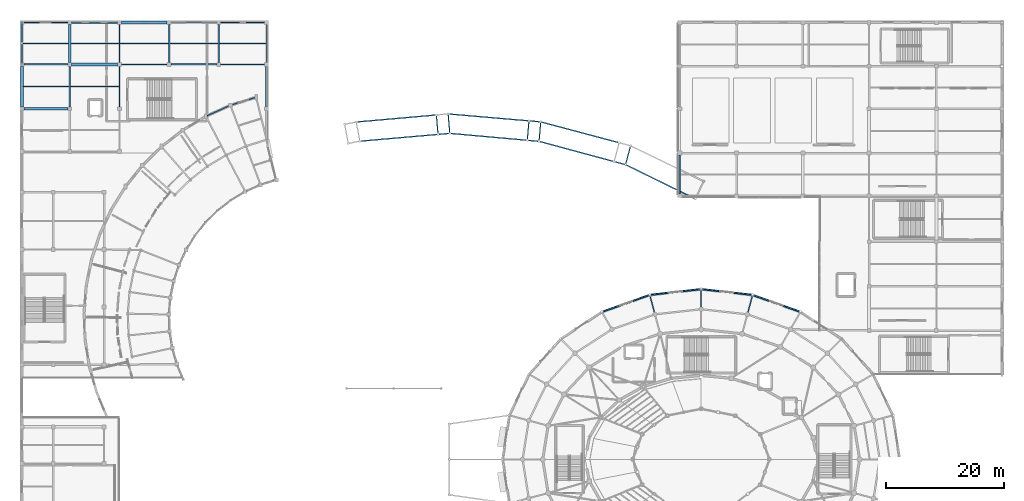
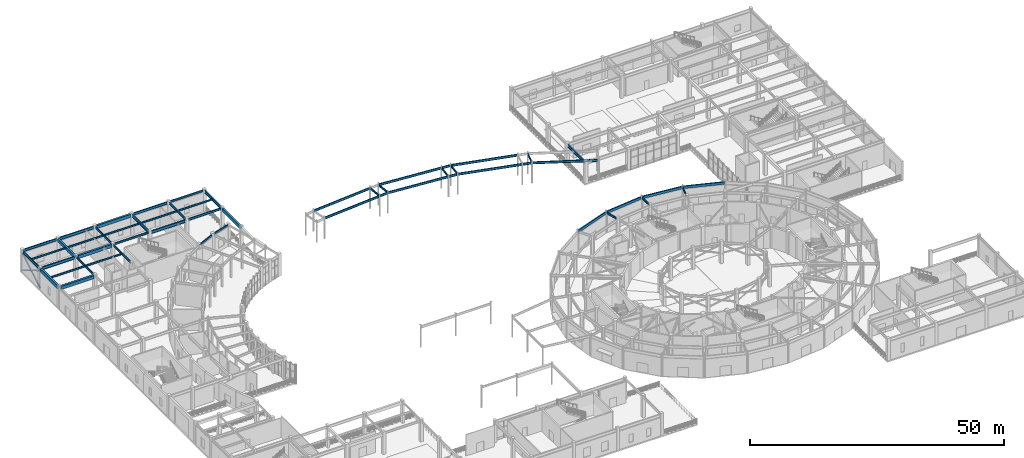
# One storey, part 31 of 93: 54 beams, 3 members.
"""IFC4 building model written with IfcOpenShell, lengths in metres."""

from ifc_helpers import new_model, si_unit, direction, frame, origin, origin_2d, place, context, subcontext, project, spatial, rectangle, hollow_rectangle, i_section, extrude, material, material_profile, profile_set, type_object, element, save


model = new_model("IFC4")

# Units and contexts
model_context = context("Model", 3, precision=1e-05, world=origin(), true_north=direction((0.0, 1.0)))
body_context = subcontext(model_context, "Body", "Model", "MODEL_VIEW")
ifc_project = project(units=[si_unit("LENGTHUNIT", "METRE"), si_unit("AREAUNIT", "SQUARE_METRE"), si_unit("VOLUMEUNIT", "CUBIC_METRE"), si_unit("PLANEANGLEUNIT", "RADIAN"), si_unit("MASSUNIT", "GRAM", prefix="KILO")], contexts=[model_context])

# Site, building, storey
site_placement = place(None, origin())
site = spatial("IfcSite", under=ifc_project, at=site_placement, CompositionType="ELEMENT")
building_placement = place(site_placement, origin())
building = spatial("IfcBuilding", under=site, at=building_placement, Name="Cinderbank Siding Concert Hall", CompositionType="ELEMENT")
storey_placement = place(building_placement, origin())
storey = spatial("IfcBuildingStorey", under=building, at=storey_placement, Name="L01", CompositionType="ELEMENT", Elevation=0.0)

# Beams
ifc_material_1 = material(Name="Reinforced concrete AS 3600 N50 (50 MPa)", Category="concrete")
ifc_material_profile_1 = material_profile(ifc_material_1, rectangle(XDim=0.449951171875, YDim=0.75, at=origin_2d()), Name="RC-BM-450x750", Category="LoadBearing")
ifc_profile_set_1 = profile_set([ifc_material_profile_1], Name="Reinforced concrete AS 3600 N50 (50 MPa)")
beam_type_1 = type_object("IfcBeamType", Name="BM-RC750 RC-BM-450x750", PredefinedType="BEAM", material=ifc_profile_set_1)
beam_1_placement = place(storey_placement, frame((7.4169921875, 103.300048828125, 4.76708984375), z_axis=(1.0, 0.0, 0.0), x_axis=(0.0, 1.0, 0.0)))
element("IfcBeam", 1, at=beam_1_placement, inside=storey, type_object=beam_type_1, Name="L01 Beam BM-RC750 #1357", PredefinedType="BEAM", context=body_context, shape_type="SweptSolid", body=[
    extrude(rectangle(XDim=0.449951171875, YDim=0.75, at=origin_2d()), origin(), (0.0, 0.0, 1.0), 7.466064453125),
])
beam_2_placement = place(storey_placement, frame((7.10009765625, 103.616943359375, 4.76708984375), z_axis=(0.0, 1.0, 0.0), x_axis=(-1.0, 0.0, 0.0)))
element("IfcBeam", 2, at=beam_2_placement, inside=storey, type_object=beam_type_1, Name="L01 Beam BM-RC750 #1358", PredefinedType="BEAM", context=body_context, shape_type="SweptSolid", body=[
    extrude(rectangle(XDim=0.449951171875, YDim=0.75, at=origin_2d()), origin(), (0.0, 0.0, 1.0), 6.865966796875),
])
beam_3_placement = place(storey_placement, frame((15.51708984375, 110.800048828125, 4.76708984375), z_axis=(1.0, 0.0, 0.0), x_axis=(0.0, 1.0, 0.0)))
element("IfcBeam", 3, at=beam_3_placement, inside=storey, type_object=beam_type_1, Name="L01 Beam BM-RC750 #1365", PredefinedType="BEAM", context=body_context, shape_type="SweptSolid", body=[
    extrude(rectangle(XDim=0.449951171875, YDim=0.75, at=origin_2d()), origin(), (0.0, 0.0, 1.0), 7.765869140625),
])
beam_4_placement = place(storey_placement, frame((15.199951171875, 111.116943359375, 4.76708984375), z_axis=(0.0, 1.0, 0.0), x_axis=(-1.0, 0.0, 0.0)))
element("IfcBeam", 4, at=beam_4_placement, inside=storey, type_object=beam_type_1, Name="L01 Beam BM-RC750 #1366", PredefinedType="BEAM", context=body_context, shape_type="SweptSolid", body=[
    extrude(rectangle(XDim=0.449951171875, YDim=0.75, at=origin_2d()), origin(), (0.0, 0.0, 1.0), 6.466064453125),
])
beam_5_placement = place(storey_placement, frame((23.9169921875, 117.89990234375, 4.76708984375), z_axis=(1.0, 0.0, 0.0), x_axis=(0.0, 1.0, 0.0)))
element("IfcBeam", 5, at=beam_5_placement, inside=storey, type_object=beam_type_1, Name="L01 Beam BM-RC750 #1372", PredefinedType="BEAM", context=body_context, shape_type="SweptSolid", body=[
    extrude(rectangle(XDim=0.449951171875, YDim=0.75, at=origin_2d()), origin(), (0.0, 0.0, 1.0), 7.76611328125),
])
beam_6_placement = place(storey_placement, frame((48.5, 103.616943359375, 4.76708984375), z_axis=(0.0, 1.0, 0.0), x_axis=(-1.0, 0.0, 0.0)))
element("IfcBeam", 6, at=beam_6_placement, inside=storey, type_object=beam_type_1, Name="L01 Beam BM-RC750 #1379", PredefinedType="BEAM", context=body_context, shape_type="SweptSolid", body=[
    extrude(rectangle(XDim=0.449951171875, YDim=0.75, at=origin_2d()), origin(), (0.0, 0.0, 1.0), 6.865966796875),
])
ifc_material_2 = material(Name="Structural steel AS/NZS 3679.1 Grade 350 (340 MPa)", Category="steel")
ifc_material_profile_2 = material_profile(ifc_material_2, i_section(OverallWidth=0.18994140625, OverallDepth=0.45751953125, WebThickness=0.009033203125, FlangeThickness=0.014404296875, at=origin_2d()), Name="460UB74.6", Category="LoadBearing")
ifc_profile_set_2 = profile_set([ifc_material_profile_2], Name="Structural steel AS/NZS 3679.1 Grade 350 (340 MPa)")
beam_type_2 = type_object("IfcBeamType", Name="BM-UB460 460UB74.6", PredefinedType="BEAM", material=ifc_profile_set_2)
beam_7_placement = place(storey_placement, frame((77.21435546875, 102.107666015625, 4.871337890625), z_axis=(0.087319812676, -0.996180330219, 0.0), x_axis=(0.996180330219, 0.087319812676, 0.0)))
element("IfcBeam", 7, at=beam_7_placement, inside=storey, type_object=beam_type_2, Name="L01 Beam BM-UB460 #68", PredefinedType="BEAM", context=body_context, shape_type="SweptSolid", body=[
    extrude(i_section(OverallWidth=0.18994140625, OverallDepth=0.45751953125, WebThickness=0.009033203125, FlangeThickness=0.014404296875, at=origin_2d()), origin(), (0.0, 0.0, 1.0), 2.99169921875),
])
beam_8_placement = place(storey_placement, frame((79.20751953125, 102.28271484375, 4.871337890625), z_axis=(0.0868866097, -0.99621820755, 0.0), x_axis=(0.99621820755, 0.0868866097, 0.0)))
element("IfcBeam", 8, at=beam_8_placement, inside=storey, type_object=beam_type_2, Name="L01 Beam BM-UB460 #71", PredefinedType="BEAM", context=body_context, shape_type="SweptSolid", body=[
    extrude(i_section(OverallWidth=0.18994140625, OverallDepth=0.45751953125, WebThickness=0.009033203125, FlangeThickness=0.014404296875, at=origin_2d()), origin(), (0.0, 0.0, 1.0), 2.992431640625),
])
beam_9_placement = place(storey_placement, frame((92.856689453125, 101.110595703125, 4.871337890625), z_axis=(-0.086995858577, -0.996208673216, 0.0), x_axis=(0.996208673216, -0.086995858577, 0.0)))
element("IfcBeam", 9, at=beam_9_placement, inside=storey, type_object=beam_type_2, Name="L01 Beam BM-UB460 #74", PredefinedType="BEAM", context=body_context, shape_type="SweptSolid", body=[
    extrude(i_section(OverallWidth=0.18994140625, OverallDepth=0.45751953125, WebThickness=0.009033203125, FlangeThickness=0.014404296875, at=origin_2d()), origin(), (0.0, 0.0, 1.0), 2.991455078125),
])
for number, where, z_axis, x_axis, name in (
    (10, (94.849609375, 100.9365234375, 4.871337890625), (-0.087291427009, -0.996182817946, 0.0), (0.996182817946, -0.087291427009, 0.0), "L01 Beam BM-UB460 #77"),
    (11, (110.020263671875, 96.895263671875, 4.871337890625), (-0.258779582665, -0.965936399353, 0.0), (0.965936399353, -0.258779582665, 0.0), "L01 Beam BM-UB460 #83"),
):
    element("IfcBeam", number, at=place(storey_placement, frame(where, z_axis=z_axis, x_axis=x_axis)), inside=storey, type_object=beam_type_2, Name=name, PredefinedType="BEAM", context=body_context, shape_type="SweptSolid", body=[
        extrude(i_section(OverallWidth=0.18994140625, OverallDepth=0.45751953125, WebThickness=0.009033203125, FlangeThickness=0.014404296875, at=origin_2d()), origin(), (0.0, 0.0, 1.0), 2.99267578125),
    ])
beam_10_placement = place(storey_placement, frame((15.199951171875, 103.616943359375, 4.913330078125), z_axis=(0.0, 1.0, 0.0), x_axis=(-1.0, 0.0, 0.0)))
element("IfcBeam", 12, at=beam_10_placement, inside=storey, type_object=beam_type_2, Name="L01 Beam BM-UB460 #1364", PredefinedType="BEAM", context=body_context, shape_type="SweptSolid", body=[
    extrude(i_section(OverallWidth=0.18994140625, OverallDepth=0.45751953125, WebThickness=0.009033203125, FlangeThickness=0.014404296875, at=origin_2d()), origin(), (0.0, 0.0, 1.0), 6.865966796875),
])
beam_11_placement = place(storey_placement, frame((23.9169921875, 110.800048828125, 4.913330078125), z_axis=(1.0, 0.0, 0.0), x_axis=(0.0, 1.0, 0.0)))
element("IfcBeam", 13, at=beam_11_placement, inside=storey, type_object=beam_type_2, Name="L01 Beam BM-UB460 #1370", PredefinedType="BEAM", context=body_context, shape_type="SweptSolid", body=[
    extrude(i_section(OverallWidth=0.18994140625, OverallDepth=0.45751953125, WebThickness=0.009033203125, FlangeThickness=0.014404296875, at=origin_2d()), origin(), (0.0, 0.0, 1.0), 7.76611328125),
])
beam_12_placement = place(storey_placement, frame((23.60009765625, 111.116943359375, 4.913330078125), z_axis=(0.0, 1.0, 0.0), x_axis=(-1.0, 0.0, 0.0)))
element("IfcBeam", 14, at=beam_12_placement, inside=storey, type_object=beam_type_2, Name="L01 Beam BM-UB460 #1371", PredefinedType="BEAM", context=body_context, shape_type="SweptSolid", body=[
    extrude(i_section(OverallWidth=0.18994140625, OverallDepth=0.45751953125, WebThickness=0.009033203125, FlangeThickness=0.014404296875, at=origin_2d()), origin(), (0.0, 0.0, 1.0), 6.466064453125),
])
beam_13_placement = place(storey_placement, frame((40.717041015625, 117.89990234375, 4.913330078125), z_axis=(1.0, 0.0, 0.0), x_axis=(0.0, 1.0, 0.0)))
element("IfcBeam", 15, at=beam_13_placement, inside=storey, type_object=beam_type_2, Name="L01 Beam BM-UB460 #1378", PredefinedType="BEAM", context=body_context, shape_type="SweptSolid", body=[
    extrude(i_section(OverallWidth=0.18994140625, OverallDepth=0.45751953125, WebThickness=0.009033203125, FlangeThickness=0.014404296875, at=origin_2d()), origin(), (0.0, 0.0, 1.0), 7.466064453125),
])
ifc_material_profile_3 = material_profile(ifc_material_2, i_section(OverallWidth=0.19091796875, OverallDepth=0.46044921875, WebThickness=0.010009765625, FlangeThickness=0.01611328125, at=origin_2d()), Name="460UB82.1", Category="LoadBearing")
ifc_profile_set_3 = profile_set([ifc_material_profile_3], Name="Structural steel AS/NZS 3679.1 Grade 350 (340 MPa)")
beam_type_3 = type_object("IfcBeamType", Name="BM-UB460H 460UB82.1", PredefinedType="BEAM", material=ifc_profile_set_3)
beam_14_placement = place(storey_placement, frame((129.911376953125, 68.888916015625, 4.871826171875), z_axis=(0.258776220076, 0.965937300203, 0.0), x_axis=(-0.965937300203, 0.258776220076, 0.0)))
element("IfcBeam", 16, at=beam_14_placement, inside=storey, type_object=beam_type_3, Name="L01 Beam BM-UB460H #421", PredefinedType="BEAM", context=body_context, shape_type="SweptSolid", body=[
    extrude(i_section(OverallWidth=0.19091796875, OverallDepth=0.46044921875, WebThickness=0.010009765625, FlangeThickness=0.01611328125, at=origin_2d()), origin(), (0.0, 0.0, 1.0), 2.837890625),
])
beam_15_placement = place(storey_placement, frame((122.0, 69.76708984375, 4.871826171875), z_axis=(0.0, 1.0, 0.0), x_axis=(-1.0, 0.0, 0.0)))
element("IfcBeam", 17, at=beam_15_placement, inside=storey, type_object=beam_type_3, Name="L01 Beam BM-UB460H #422", PredefinedType="BEAM", context=body_context, shape_type="SweptSolid", body=[
    extrude(i_section(OverallWidth=0.19091796875, OverallDepth=0.46044921875, WebThickness=0.010009765625, FlangeThickness=0.01611328125, at=origin_2d()), origin(), (0.0, 0.0, 1.0), 2.837646484375),
])
beam_16_placement = place(storey_placement, frame((114.088623046875, 68.888916015625, 4.871826171875), z_axis=(-0.258776220076, 0.965937300203, 0.0), x_axis=(-0.965937300203, -0.258776220076, 0.0)))
element("IfcBeam", 18, at=beam_16_placement, inside=storey, type_object=beam_type_3, Name="L01 Beam BM-UB460H #423", PredefinedType="BEAM", context=body_context, shape_type="SweptSolid", body=[
    extrude(i_section(OverallWidth=0.19091796875, OverallDepth=0.46044921875, WebThickness=0.010009765625, FlangeThickness=0.01611328125, at=origin_2d()), origin(), (0.0, 0.0, 1.0), 2.837890625),
])
ifc_material_profile_4 = material_profile(ifc_material_2, i_section(OverallWidth=0.208984375, OverallDepth=0.5283203125, WebThickness=0.009521484375, FlangeThickness=0.01318359375, at=origin_2d()), Name="530UB82.0", Category="LoadBearing")
ifc_profile_set_4 = profile_set([ifc_material_profile_4], Name="Structural steel AS/NZS 3679.1 Grade 350 (340 MPa)")
beam_type_4 = type_object("IfcBeamType", Name="BM-UB530 530UB82.0", PredefinedType="BEAM", material=ifc_profile_set_4)
beam_17_placement = place(storey_placement, frame((63.79541015625, 101.07958984375, 4.8359375), z_axis=(0.996138682073, 0.087793656252, 0.0), x_axis=(-0.087793656252, 0.996138682073, 0.0)))
element("IfcBeam", 19, at=beam_17_placement, inside=storey, type_object=beam_type_4, Name="L01 Beam BM-UB530 #66", PredefinedType="BEAM", context=body_context, shape_type="SweptSolid", body=[
    extrude(i_section(OverallWidth=0.208984375, OverallDepth=0.5283203125, WebThickness=0.009521484375, FlangeThickness=0.01318359375, at=origin_2d()), origin(), (0.0, 0.0, 1.0), 13.303466796875),
])
beam_18_placement = place(storey_placement, frame((64.42431640625, 97.83935546875, 4.8359375), z_axis=(0.99624984248, 0.086523126151, 0.0), x_axis=(-0.086523126151, 0.99624984248, 0.0)))
element("IfcBeam", 20, at=beam_18_placement, inside=storey, type_object=beam_type_4, Name="L01 Beam BM-UB530 #67", PredefinedType="BEAM", context=body_context, shape_type="SweptSolid", body=[
    extrude(i_section(OverallWidth=0.208984375, OverallDepth=0.5283203125, WebThickness=0.009521484375, FlangeThickness=0.01318359375, at=origin_2d()), origin(), (0.0, 0.0, 1.0), 12.9599609375),
])
beam_19_placement = place(storey_placement, frame((77.642333984375, 98.9873046875, 4.8359375), z_axis=(0.996206395204, 0.08702194065, 0.0), x_axis=(-0.08702194065, 0.996206395204, 0.0)))
element("IfcBeam", 21, at=beam_19_placement, inside=storey, type_object=beam_type_4, Name="L01 Beam BM-UB530 #70", PredefinedType="BEAM", context=body_context, shape_type="SweptSolid", body=[
    extrude(i_section(OverallWidth=0.208984375, OverallDepth=0.5283203125, WebThickness=0.009521484375, FlangeThickness=0.01318359375, at=origin_2d()), origin(), (0.0, 0.0, 1.0), 1.691650390625),
])
beam_20_placement = place(storey_placement, frame((79.347412109375, 102.4228515625, 4.8359375), z_axis=(0.996347754802, -0.085388239834, 0.0), x_axis=(0.085388239834, 0.996347754802, 0.0)))
element("IfcBeam", 22, at=beam_20_placement, inside=storey, type_object=beam_type_4, Name="L01 Beam BM-UB530 #72", PredefinedType="BEAM", context=body_context, shape_type="SweptSolid", body=[
    extrude(i_section(OverallWidth=0.208984375, OverallDepth=0.5283203125, WebThickness=0.009521484375, FlangeThickness=0.01318359375, at=origin_2d()), origin(), (0.0, 0.0, 1.0), 13.418212890625),
])
beam_21_placement = place(storey_placement, frame((79.63427734375, 99.13427734375, 4.8359375), z_axis=(0.996030066143, -0.089017455253, 0.0), x_axis=(0.089017455253, 0.996030066143, 0.0)))
element("IfcBeam", 23, at=beam_21_placement, inside=storey, type_object=beam_type_4, Name="L01 Beam BM-UB530 #73", PredefinedType="BEAM", context=body_context, shape_type="SweptSolid", body=[
    extrude(i_section(OverallWidth=0.208984375, OverallDepth=0.5283203125, WebThickness=0.009521484375, FlangeThickness=0.01318359375, at=origin_2d()), origin(), (0.0, 0.0, 1.0), 12.846435546875),
])
beam_22_placement = place(storey_placement, frame((93.0234375, 101.25048828125, 4.8359375), z_axis=(0.9962232494, -0.086828781836, 0.0), x_axis=(0.086828781836, 0.9962232494, 0.0)))
element("IfcBeam", 24, at=beam_22_placement, inside=storey, type_object=beam_type_4, Name="L01 Beam BM-UB530 #75", PredefinedType="BEAM", context=body_context, shape_type="SweptSolid", body=[
    extrude(i_section(OverallWidth=0.208984375, OverallDepth=0.5283203125, WebThickness=0.009521484375, FlangeThickness=0.01318359375, at=origin_2d()), origin(), (0.0, 0.0, 1.0), 1.692626953125),
])
beam_23_placement = place(storey_placement, frame((92.736328125, 97.96337890625, 4.8359375), z_axis=(0.996168771185, -0.087451582694, 0.0), x_axis=(0.087451582694, 0.996168771185, 0.0)))
element("IfcBeam", 25, at=beam_23_placement, inside=storey, type_object=beam_type_4, Name="L01 Beam BM-UB530 #76", PredefinedType="BEAM", context=body_context, shape_type="SweptSolid", body=[
    extrude(i_section(OverallWidth=0.208984375, OverallDepth=0.5283203125, WebThickness=0.009521484375, FlangeThickness=0.01318359375, at=origin_2d()), origin(), (0.0, 0.0, 1.0), 1.69189453125),
])
beam_24_placement = place(storey_placement, frame((95.01171875, 101.05029296875, 4.8359375), z_axis=(0.966388776608, -0.257085068502, 0.0), x_axis=(0.257085068502, 0.966388776608, 0.0)))
element("IfcBeam", 26, at=beam_24_placement, inside=storey, type_object=beam_type_4, Name="L01 Beam BM-UB530 #78", PredefinedType="BEAM", context=body_context, shape_type="SweptSolid", body=[
    extrude(i_section(OverallWidth=0.208984375, OverallDepth=0.5283203125, WebThickness=0.009521484375, FlangeThickness=0.01318359375, at=origin_2d()), origin(), (0.0, 0.0, 1.0), 13.41845703125),
])
beam_25_placement = place(storey_placement, frame((94.7236328125, 97.761962890625, 4.8359375), z_axis=(0.9654408473, -0.260622275267, 0.0), x_axis=(0.260622275267, 0.9654408473, 0.0)))
element("IfcBeam", 27, at=beam_25_placement, inside=storey, type_object=beam_type_4, Name="L01 Beam BM-UB530 #79", PredefinedType="BEAM", context=body_context, shape_type="SweptSolid", body=[
    extrude(i_section(OverallWidth=0.208984375, OverallDepth=0.5283203125, WebThickness=0.009521484375, FlangeThickness=0.01318359375, at=origin_2d()), origin(), (0.0, 0.0, 1.0), 12.845703125),
])
beam_26_placement = place(storey_placement, frame((107.422607421875, 94.333984375, 4.8359375), z_axis=(0.965932598469, -0.258793769661, 0.0), x_axis=(0.258793769661, 0.965932598469, 0.0)))
element("IfcBeam", 28, at=beam_26_placement, inside=storey, type_object=beam_type_4, Name="L01 Beam BM-UB530 #82", PredefinedType="BEAM", context=body_context, shape_type="SweptSolid", body=[
    extrude(i_section(OverallWidth=0.208984375, OverallDepth=0.5283203125, WebThickness=0.009521484375, FlangeThickness=0.01318359375, at=origin_2d()), origin(), (0.0, 0.0, 1.0), 1.6923828125),
])
beam_27_placement = place(storey_placement, frame((109.34423828125, 93.7880859375, 4.8359375), z_axis=(0.897773350895, -0.440457728305, 0.0), x_axis=(0.440457728305, 0.897773350895, 0.0)))
element("IfcBeam", 29, at=beam_27_placement, inside=storey, type_object=beam_type_4, Name="L01 Beam BM-UB530 #85", PredefinedType="BEAM", context=body_context, shape_type="SweptSolid", body=[
    extrude(i_section(OverallWidth=0.208984375, OverallDepth=0.5283203125, WebThickness=0.009521484375, FlangeThickness=0.01318359375, at=origin_2d()), origin(), (0.0, 0.0, 1.0), 12.81689453125),
])
beam_28_placement = place(storey_placement, frame((23.60009765625, 103.616943359375, 4.8779296875), z_axis=(0.0, 1.0, 0.0), x_axis=(-1.0, 0.0, 0.0)))
element("IfcBeam", 30, at=beam_28_placement, inside=storey, type_object=beam_type_4, Name="L01 Beam BM-UB530 #1369", PredefinedType="BEAM", context=body_context, shape_type="SweptSolid", body=[
    extrude(i_section(OverallWidth=0.208984375, OverallDepth=0.5283203125, WebThickness=0.009521484375, FlangeThickness=0.01318359375, at=origin_2d()), origin(), (0.0, 0.0, 1.0), 6.865966796875),
])
beam_29_placement = place(storey_placement, frame((40.717041015625, 110.800048828125, 4.8779296875), z_axis=(1.0, 0.0, 0.0), x_axis=(0.0, 1.0, 0.0)))
element("IfcBeam", 31, at=beam_29_placement, inside=storey, type_object=beam_type_4, Name="L01 Beam BM-UB530 #1376", PredefinedType="BEAM", context=body_context, shape_type="SweptSolid", body=[
    extrude(i_section(OverallWidth=0.208984375, OverallDepth=0.5283203125, WebThickness=0.009521484375, FlangeThickness=0.01318359375, at=origin_2d()), origin(), (0.0, 0.0, 1.0), 7.466064453125),
])
beam_30_placement = place(storey_placement, frame((40.39990234375, 111.116943359375, 4.8779296875), z_axis=(0.0, 1.0, 0.0), x_axis=(-1.0, 0.0, 0.0)))
element("IfcBeam", 32, at=beam_30_placement, inside=storey, type_object=beam_type_4, Name="L01 Beam BM-UB530 #1377", PredefinedType="BEAM", context=body_context, shape_type="SweptSolid", body=[
    extrude(i_section(OverallWidth=0.208984375, OverallDepth=0.5283203125, WebThickness=0.009521484375, FlangeThickness=0.01318359375, at=origin_2d()), origin(), (0.0, 0.0, 1.0), 6.466064453125),
])
ifc_material_profile_5 = material_profile(ifc_material_2, i_section(OverallWidth=0.22802734375, OverallDepth=0.602294921875, WebThickness=0.010498046875, FlangeThickness=0.014892578125, at=origin_2d()), Name="610UB101", Category="LoadBearing")
ifc_profile_set_5 = profile_set([ifc_material_profile_5], Name="Structural steel AS/NZS 3679.1 Grade 350 (340 MPa)")
beam_type_5 = type_object("IfcBeamType", Name="BM-UB610 610UB101", PredefinedType="BEAM", material=ifc_profile_set_5)
beam_31_placement = place(storey_placement, frame((7.4169921875, 117.89990234375, 4.8408203125), z_axis=(1.0, 0.0, 0.0), x_axis=(0.0, 1.0, 0.0)))
element("IfcBeam", 33, at=beam_31_placement, inside=storey, type_object=beam_type_5, Name="L01 Beam BM-UB610 #1361", PredefinedType="BEAM", context=body_context, shape_type="SweptSolid", body=[
    extrude(i_section(OverallWidth=0.22802734375, OverallDepth=0.602294921875, WebThickness=0.010498046875, FlangeThickness=0.014892578125, at=origin_2d()), origin(), (0.0, 0.0, 1.0), 7.466064453125),
])
beam_32_placement = place(storey_placement, frame((32.31689453125, 117.89990234375, 4.8408203125), z_axis=(1.0, 0.0, 0.0), x_axis=(0.0, 1.0, 0.0)))
element("IfcBeam", 34, at=beam_32_placement, inside=storey, type_object=beam_type_5, Name="L01 Beam BM-UB610 #1375", PredefinedType="BEAM", context=body_context, shape_type="SweptSolid", body=[
    extrude(i_section(OverallWidth=0.22802734375, OverallDepth=0.602294921875, WebThickness=0.010498046875, FlangeThickness=0.014892578125, at=origin_2d()), origin(), (0.0, 0.0, 1.0), 7.76611328125),
])
ifc_material_3 = material(Name="Structural steel welded plate section AS/NZS 3679.2 / AS/NZS 3678 Grade 350 (340 MPa)", Category="steel")
ifc_material_profile_6 = material_profile(ifc_material_3, i_section(OverallWidth=0.25, OverallDepth=0.699951171875, WebThickness=0.010009765625, FlangeThickness=0.01611328125, at=origin_2d()), Name="700WB130", Category="LoadBearing")
ifc_profile_set_6 = profile_set([ifc_material_profile_6], Name="Structural steel welded plate section AS/NZS 3679.2 / AS/NZS 3678 Grade 350 (340 MPa)")
beam_type_6 = type_object("IfcBeamType", Name="BM-WB700 700WB130", PredefinedType="BEAM", material=ifc_profile_set_6)
beam_33_placement = place(storey_placement, frame((118.39990234375, 88.9169921875, 4.77197265625), z_axis=(0.0, 1.0, 0.0), x_axis=(-1.0, 0.0, 0.0)))
element("IfcBeam", 35, at=beam_33_placement, inside=storey, type_object=beam_type_6, Name="L01 Beam BM-WB700 #1315", PredefinedType="BEAM", context=body_context, shape_type="SweptSolid", body=[
    extrude(i_section(OverallWidth=0.25, OverallDepth=0.699951171875, WebThickness=0.010009765625, FlangeThickness=0.01611328125, at=origin_2d()), origin(), (0.0, 0.0, 1.0), 6.56591796875),
])
beam_34_placement = place(storey_placement, frame((7.4169921875, 110.800048828125, 4.7919921875), z_axis=(1.0, 0.0, 0.0), x_axis=(0.0, 1.0, 0.0)))
element("IfcBeam", 36, at=beam_34_placement, inside=storey, type_object=beam_type_6, Name="L01 Beam BM-WB700 #1359", PredefinedType="BEAM", context=body_context, shape_type="SweptSolid", body=[
    extrude(i_section(OverallWidth=0.25, OverallDepth=0.699951171875, WebThickness=0.010009765625, FlangeThickness=0.01611328125, at=origin_2d()), origin(), (0.0, 0.0, 1.0), 7.466064453125),
])
beam_35_placement = place(storey_placement, frame((7.10009765625, 111.116943359375, 4.7919921875), z_axis=(0.0, 1.0, 0.0), x_axis=(-1.0, 0.0, 0.0)))
element("IfcBeam", 37, at=beam_35_placement, inside=storey, type_object=beam_type_6, Name="L01 Beam BM-WB700 #1360", PredefinedType="BEAM", context=body_context, shape_type="SweptSolid", body=[
    extrude(i_section(OverallWidth=0.25, OverallDepth=0.699951171875, WebThickness=0.010009765625, FlangeThickness=0.01611328125, at=origin_2d()), origin(), (0.0, 0.0, 1.0), 6.466064453125),
])
beam_36_placement = place(storey_placement, frame((15.51708984375, 117.89990234375, 4.7919921875), z_axis=(1.0, 0.0, 0.0), x_axis=(0.0, 1.0, 0.0)))
element("IfcBeam", 38, at=beam_36_placement, inside=storey, type_object=beam_type_6, Name="L01 Beam BM-WB700 #1367", PredefinedType="BEAM", context=body_context, shape_type="SweptSolid", body=[
    extrude(i_section(OverallWidth=0.25, OverallDepth=0.699951171875, WebThickness=0.010009765625, FlangeThickness=0.01611328125, at=origin_2d()), origin(), (0.0, 0.0, 1.0), 7.765869140625),
])
beam_37_placement = place(storey_placement, frame((32.31689453125, 110.800048828125, 4.7919921875), z_axis=(1.0, 0.0, 0.0), x_axis=(0.0, 1.0, 0.0)))
element("IfcBeam", 39, at=beam_37_placement, inside=storey, type_object=beam_type_6, Name="L01 Beam BM-WB700 #1373", PredefinedType="BEAM", context=body_context, shape_type="SweptSolid", body=[
    extrude(i_section(OverallWidth=0.25, OverallDepth=0.699951171875, WebThickness=0.010009765625, FlangeThickness=0.01611328125, at=origin_2d()), origin(), (0.0, 0.0, 1.0), 7.76611328125),
])
for number, where, z_axis, x_axis, name in (
    (40, (32.0, 111.116943359375, 4.7919921875), (0.0, 1.0, 0.0), (-1.0, 0.0, 0.0), "L01 Beam BM-WB700 #1374"),
    (41, (48.5, 111.116943359375, 4.7919921875), (0.0, 1.0, 0.0), (-1.0, 0.0, 0.0), "L01 Beam BM-WB700 #1380"),
):
    element("IfcBeam", number, at=place(storey_placement, frame(where, z_axis=z_axis, x_axis=x_axis)), inside=storey, type_object=beam_type_6, Name=name, PredefinedType="BEAM", context=body_context, shape_type="SweptSolid", body=[
        extrude(i_section(OverallWidth=0.25, OverallDepth=0.699951171875, WebThickness=0.010009765625, FlangeThickness=0.01611328125, at=origin_2d()), origin(), (0.0, 0.0, 1.0), 6.466064453125),
    ])

# Members
ifc_material_4 = material(Name="Structural steel hollow section AS/NZS 1163 Grade C350L0 (350 MPa)", Category="steel")
ifc_material_profile_7 = material_profile(ifc_material_4, hollow_rectangle(XDim=0.25, YDim=0.25, WallThickness=0.010009765625, at=origin_2d()), Name="250x250x10.0SHS", Category="LoadBearing")
ifc_profile_set_7 = profile_set([ifc_material_profile_7], Name="Structural steel hollow section AS/NZS 1163 Grade C350L0 (350 MPa)")
member_type = type_object("IfcMemberType", Name="BR-SHS250 250x250x10.0SHS Roof Truss", PredefinedType="BRACE", material=ifc_profile_set_7)
member_placement = place(storey_placement, frame((7.10009765625, 110.800048828125, 0.199951171875), z_axis=(0.0, 0.860683089359, 0.509141060701), x_axis=(-1.0, 0.0, 0.0)))
element("IfcMember", 42, at=member_placement, inside=storey, type_object=member_type, Name="L01 Diagonal Brace BR-SHS250 #LBR-BR-SHS250-L01-2530", PredefinedType="BRACE", context=body_context, shape_type="SweptSolid", body=[
    extrude(hollow_rectangle(XDim=0.25, YDim=0.25, WallThickness=0.010009765625, at=origin_2d()), origin(), (0.0, 0.0, 1.0), 8.2490234375),
])
for number, where, z_axis, x_axis, name in (
    (43, (7.10009765625, 117.89990234375, 0.199951171875), (0.0, -0.860668599092, 0.509165555136), (1.0, 0.0, 0.0), "L01 Diagonal Brace BR-SHS250 #LBR-BR-SHS250-L01-2531"),
    (44, (7.10009765625, 114.337158203125, 2.3076171875), (0.0, -0.860694631651, 0.509121548402), (1.0, 0.0, 0.0), "L01 Diagonal Brace BR-SHS250 #LBR-BR-SHS250-L01-2531-S233"),
):
    element("IfcMember", number, at=place(storey_placement, frame(where, z_axis=z_axis, x_axis=x_axis)), inside=storey, type_object=member_type, Name=name, PredefinedType="BRACE", context=body_context, shape_type="SweptSolid", body=[
        extrude(hollow_rectangle(XDim=0.25, YDim=0.25, WallThickness=0.010009765625, at=origin_2d()), origin(), (0.0, 0.0, 1.0), 4.109619140625),
    ])

# Beams
ifc_material_profile_8 = material_profile(ifc_material_2, i_section(OverallWidth=0.177978515625, OverallDepth=0.402587890625, WebThickness=0.007568359375, FlangeThickness=0.010986328125, at=origin_2d()), Name="410UB53.7", Category="LoadBearing")
ifc_profile_set_8 = profile_set([ifc_material_profile_8], Name="Structural steel AS/NZS 3679.1 Grade 350 (340 MPa)")
beam_type_7 = type_object("IfcBeamType", Name="JS-UB410 410UB53.7", PredefinedType="JOIST", material=ifc_profile_set_8)
beam_38_placement = place(storey_placement, frame((7.31689453125, 107.050048828125, 4.940673828125), z_axis=(1.0, 0.0, 0.0), x_axis=(0.0, 1.0, 0.0)))
element("IfcBeam", 45, at=beam_38_placement, inside=storey, type_object=beam_type_7, Name="L01 Beam JS-UB410 #1467", PredefinedType="JOIST", context=body_context, shape_type="SweptSolid", body=[
    extrude(i_section(OverallWidth=0.177978515625, OverallDepth=0.402587890625, WebThickness=0.007568359375, FlangeThickness=0.010986328125, at=origin_2d()), origin(), (0.0, 0.0, 1.0), 7.796142578125),
])
beam_39_placement = place(storey_placement, frame((7.217041015625, 114.35009765625, 4.940673828125), z_axis=(1.0, 0.0, 0.0), x_axis=(0.0, 1.0, 0.0)))
element("IfcBeam", 46, at=beam_39_placement, inside=storey, type_object=beam_type_7, Name="L01 Beam JS-UB410 #1468", PredefinedType="JOIST", context=body_context, shape_type="SweptSolid", body=[
    extrude(i_section(OverallWidth=0.177978515625, OverallDepth=0.402587890625, WebThickness=0.007568359375, FlangeThickness=0.010986328125, at=origin_2d()), origin(), (0.0, 0.0, 1.0), 7.765869140625),
])
beam_40_placement = place(storey_placement, frame((15.287109375, 107.050048828125, 4.940673828125), z_axis=(1.0, 0.0, 0.0), x_axis=(0.0, 1.0, 0.0)))
element("IfcBeam", 47, at=beam_40_placement, inside=storey, type_object=beam_type_7, Name="L01 Beam JS-UB410 #1470", PredefinedType="JOIST", context=body_context, shape_type="SweptSolid", body=[
    extrude(i_section(OverallWidth=0.177978515625, OverallDepth=0.402587890625, WebThickness=0.007568359375, FlangeThickness=0.010986328125, at=origin_2d()), origin(), (0.0, 0.0, 1.0), 8.21630859375),
])
beam_41_placement = place(storey_placement, frame((15.4169921875, 114.35009765625, 4.940673828125), z_axis=(1.0, 0.0, 0.0), x_axis=(0.0, 1.0, 0.0)))
element("IfcBeam", 48, at=beam_41_placement, inside=storey, type_object=beam_type_7, Name="L01 Beam JS-UB410 #1471", PredefinedType="JOIST", context=body_context, shape_type="SweptSolid", body=[
    extrude(i_section(OverallWidth=0.177978515625, OverallDepth=0.402587890625, WebThickness=0.007568359375, FlangeThickness=0.010986328125, at=origin_2d()), origin(), (0.0, 0.0, 1.0), 8.095947265625),
])
beam_42_placement = place(storey_placement, frame((23.68701171875, 114.35009765625, 4.940673828125), z_axis=(1.0, 0.0, 0.0), x_axis=(0.0, 1.0, 0.0)))
element("IfcBeam", 49, at=beam_42_placement, inside=storey, type_object=beam_type_7, Name="L01 Beam JS-UB410 #1472", PredefinedType="JOIST", context=body_context, shape_type="SweptSolid", body=[
    extrude(i_section(OverallWidth=0.177978515625, OverallDepth=0.402587890625, WebThickness=0.007568359375, FlangeThickness=0.010986328125, at=origin_2d()), origin(), (0.0, 0.0, 1.0), 8.196044921875),
])
beam_43_placement = place(storey_placement, frame((32.116943359375, 114.35009765625, 4.940673828125), z_axis=(1.0, 0.0, 0.0), x_axis=(0.0, 1.0, 0.0)))
element("IfcBeam", 50, at=beam_43_placement, inside=storey, type_object=beam_type_7, Name="L01 Beam JS-UB410 #1473", PredefinedType="JOIST", context=body_context, shape_type="SweptSolid", body=[
    extrude(i_section(OverallWidth=0.177978515625, OverallDepth=0.402587890625, WebThickness=0.007568359375, FlangeThickness=0.010986328125, at=origin_2d()), origin(), (0.0, 0.0, 1.0), 8.1865234375),
])
beam_44_placement = place(storey_placement, frame((40.49658203125, 114.35009765625, 4.940673828125), z_axis=(1.0, 0.0, 0.0), x_axis=(0.0, 1.0, 0.0)))
element("IfcBeam", 51, at=beam_44_placement, inside=storey, type_object=beam_type_7, Name="L01 Beam JS-UB410 #1474", PredefinedType="JOIST", context=body_context, shape_type="SweptSolid", body=[
    extrude(i_section(OverallWidth=0.177978515625, OverallDepth=0.402587890625, WebThickness=0.007568359375, FlangeThickness=0.010986328125, at=origin_2d()), origin(), (0.0, 0.0, 1.0), 7.886474609375),
])
ifc_material_5 = material(Name="Spotted gum glulam timber GL18 (42 MPa)", Category="wood")
ifc_material_profile_9 = material_profile(ifc_material_5, rectangle(XDim=0.239990234375, YDim=0.60009765625, at=origin_2d()), Name="GL18-240x600", Category="LoadBearing")
ifc_profile_set_9 = profile_set([ifc_material_profile_9], Name="Spotted gum glulam timber GL18 (42 MPa)")
beam_type_8 = type_object("IfcBeamType", Name="SP-GL600 GL18-240x600", PredefinedType="SPANDREL", material=ifc_profile_set_9)
beam_45_placement = place(storey_placement, frame((138.6162109375, 69.0068359375, 4.802001953125), z_axis=(-0.942369378189, 0.334574289287, 0.0), x_axis=(-0.334574289287, -0.942369378189, 0.0)))
element("IfcBeam", 52, at=beam_45_placement, inside=storey, type_object=beam_type_8, Name="L01 Beam SP-GL600 #361", PredefinedType="SPANDREL", context=body_context, shape_type="SweptSolid", body=[
    extrude(rectangle(XDim=0.239990234375, YDim=0.60009765625, at=origin_2d()), origin(), (0.0, 0.0, 1.0), 8.209228515625),
])
for number, where, z_axis, x_axis, name in (
    (53, (130.502197265625, 71.840576171875, 4.802001953125), (-0.993693548107, 0.112129980157, 0.0), (-0.112129980157, -0.993693548107, 0.0), "L01 Beam SP-GL600 #362"),
    (54, (121.805908203125, 72.778076171875, 4.802001953125), (-0.993693548107, -0.112129980157, 0.0), (0.112129980157, -0.993693548107, 0.0), "L01 Beam SP-GL600 #363"),
):
    element("IfcBeam", number, at=place(storey_placement, frame(where, z_axis=z_axis, x_axis=x_axis)), inside=storey, type_object=beam_type_8, Name=name, PredefinedType="SPANDREL", context=body_context, shape_type="SweptSolid", body=[
        extrude(rectangle(XDim=0.239990234375, YDim=0.60009765625, at=origin_2d()), origin(), (0.0, 0.0, 1.0), 8.36083984375),
    ])
beam_46_placement = place(storey_placement, frame((113.119873046875, 71.75341796875, 4.802001953125), z_axis=(-0.942369378189, -0.334574289287, 0.0), x_axis=(0.334574289287, -0.942369378189, 0.0)))
element("IfcBeam", 55, at=beam_46_placement, inside=storey, type_object=beam_type_8, Name="L01 Beam SP-GL600 #364", PredefinedType="SPANDREL", context=body_context, shape_type="SweptSolid", body=[
    extrude(rectangle(XDim=0.239990234375, YDim=0.60009765625, at=origin_2d()), origin(), (0.0, 0.0, 1.0), 8.209228515625),
])
ifc_material_profile_10 = material_profile(ifc_material_4, hollow_rectangle(XDim=0.199951171875, YDim=0.39990234375, WallThickness=0.012451171875, at=origin_2d()), Name="400x200x12.5RHS", Category="LoadBearing")
ifc_profile_set_10 = profile_set([ifc_material_profile_10], Name="Structural steel hollow section AS/NZS 1163 Grade C350L0 (350 MPa)")
beam_type_9 = type_object("IfcBeamType", Name="SP-RHS400 400x200x12.5RHS", PredefinedType="SPANDREL", material=ifc_profile_set_10)
for number, where, z_axis, x_axis, name in (
    (56, (46.503173828125, 105.194580078125, 4.922119140625), (-0.954236559392, -0.299052819281, 0.0), (0.299052819281, -0.954236559392, 0.0), "L01 Beam SP-RHS400 #898"),
    (57, (42.07470703125, 103.767333984375, 4.922119140625), (-0.912123623418, -0.409915229776, 0.0), (0.409915229776, -0.912123623418, 0.0), "L01 Beam SP-RHS400 #907"),
):
    element("IfcBeam", number, at=place(storey_placement, frame(where, z_axis=z_axis, x_axis=x_axis)), inside=storey, type_object=beam_type_9, Name=name, PredefinedType="SPANDREL", context=body_context, shape_type="SweptSolid", body=[
        extrude(hollow_rectangle(XDim=0.199951171875, YDim=0.39990234375, WallThickness=0.012451171875, at=origin_2d()), origin(), (0.0, 0.0, 1.0), 4.020751953125),
    ])

save(model, "model.ifc")
